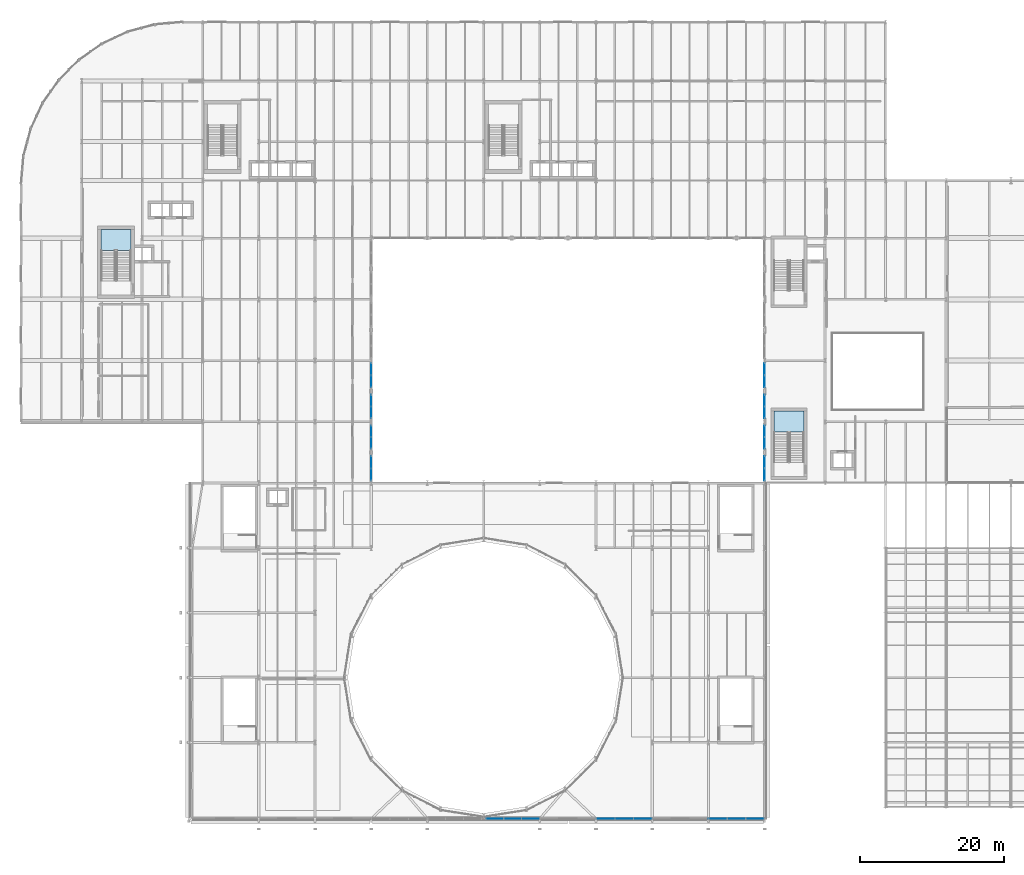
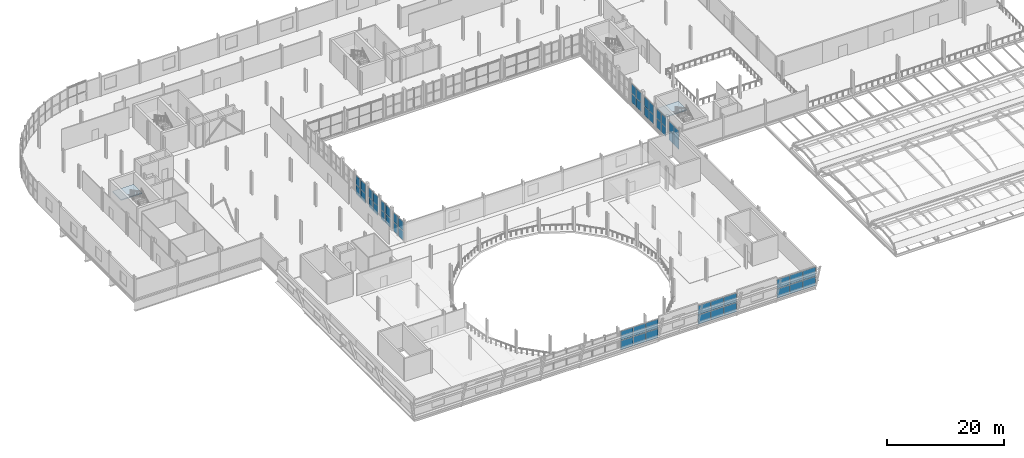
# One storey, part 36 of 63: 50 plates, 2 slabs, 13 elements without a shape of their own.
"""IFC4 building model written with IfcOpenShell, lengths in metres."""

from ifc_helpers import new_model, si_unit, direction, frame, origin, origin_2d, place, context, subcontext, project, spatial, polyline, rectangle, outline, extrude, material, layer, layer_set, type_object, element, aggregate, save


model = new_model("IFC4")

# Units and contexts
model_context = context("Model", 3, precision=1e-05, world=origin(), true_north=direction((0.0, 1.0)))
body_context = subcontext(model_context, "Body", "Model", "MODEL_VIEW")
ifc_project = project(units=[si_unit("LENGTHUNIT", "METRE"), si_unit("AREAUNIT", "SQUARE_METRE"), si_unit("VOLUMEUNIT", "CUBIC_METRE"), si_unit("PLANEANGLEUNIT", "RADIAN"), si_unit("MASSUNIT", "GRAM", prefix="KILO")], contexts=[model_context])

# Site, building, storey
site_placement = place(None, origin())
site = spatial("IfcSite", under=ifc_project, at=site_placement, CompositionType="ELEMENT")
building_placement = place(site_placement, origin())
building = spatial("IfcBuilding", under=site, at=building_placement, Name="Sefraquen Railside Congress Hotel", CompositionType="ELEMENT")
storey_placement = place(building_placement, frame((0.0, 0.0, 11.39990234375)))
storey = spatial("IfcBuildingStorey", under=building, at=storey_placement, Name="L02", CompositionType="ELEMENT", Elevation=11.39990234375)

# Curtain wall, plates
ifc_material_1 = material(Name="Thermally broken anodised aluminium and low-E double glazing", Category="aluminium")
ifc_layer_1 = layer(ifc_material_1, 0.199951171875)
ifc_layer_set_1 = layer_set([ifc_layer_1], Name="Thermally broken anodised aluminium and low-E double glazing")
curtain_wall_type_1 = type_object("IfcCurtainWallType", Name="TCW-UCW-22", PredefinedType="USERDEFINED", material=ifc_layer_set_1)
curtain_wall_1_placement = place(storey_placement, origin())
curtain_wall_1 = element("IfcCurtainWall", 1, at=curtain_wall_1_placement, inside=storey, type_object=curtain_wall_type_1, Name="Congress leaning south curtain wall L02-6", ObjectType="UNITISED CURTAIN WALL", PredefinedType="USERDEFINED")
ifc_material_2 = material(Name="Solar-control low-E double glazing", Category="glass")
ifc_layer_2 = layer(ifc_material_2, 0.02392578125)
ifc_layer_set_2 = layer_set([ifc_layer_2], Name="Solar-control low-E double glazing")
plate_type_1 = type_object("IfcPlateType", Name="TP-CWP-01", PredefinedType="CURTAIN_PANEL", material=ifc_layer_set_2)
plate_1_placement = place(storey_placement, frame((65.751708984375, 7.400390625, 0.0400390625), z_axis=(0.0, 0.0, 1.0), x_axis=(1.0, 0.0, 0.0)))
plate_1 = element("IfcPlate", 2, at=plate_1_placement, type_object=plate_type_1, Name="CW-L02-054 panel 1.1", PredefinedType="CURTAIN_PANEL", context=body_context, shape_type="SweptSolid", body=[
    extrude(rectangle(XDim=2.393310546875, YDim=0.02392578125, at=origin_2d()), origin(), (0.0, 0.0, 1.0), 1.9150390625),
])
plate_2_placement = place(storey_placement, frame((68.235107421875, 7.400390625, 0.0400390625), z_axis=(0.0, 0.0, 1.0), x_axis=(1.0, 0.0, 0.0)))
plate_2 = element("IfcPlate", 3, at=plate_2_placement, type_object=plate_type_1, Name="CW-L02-054 panel 1.2", PredefinedType="CURTAIN_PANEL", context=body_context, shape_type="SweptSolid", body=[
    extrude(rectangle(XDim=2.393310546875, YDim=0.02392578125, at=origin_2d()), origin(), (0.0, 0.0, 1.0), 1.9150390625),
])
plate_3_placement = place(storey_placement, frame((70.71826171875, 7.400390625, 0.0400390625), z_axis=(0.0, 0.0, 1.0), x_axis=(1.0, 0.0, 0.0)))
plate_3 = element("IfcPlate", 4, at=plate_3_placement, type_object=plate_type_1, Name="CW-L02-054 panel 1.3", PredefinedType="CURTAIN_PANEL", context=body_context, shape_type="SweptSolid", body=[
    extrude(rectangle(XDim=2.393310546875, YDim=0.02392578125, at=origin_2d()), origin(), (0.0, 0.0, 1.0), 1.9150390625),
])

ifc_layer_3 = layer(ifc_material_1, 0.199951171875)
ifc_layer_set_3 = layer_set([ifc_layer_3], Name="Thermally broken anodised aluminium and low-E double glazing")
curtain_wall_type_2 = type_object("IfcCurtainWallType", Name="TCW-UCW-23", PredefinedType="USERDEFINED", material=ifc_layer_set_3)
curtain_wall_2_placement = place(storey_placement, origin())
curtain_wall_2 = element("IfcCurtainWall", 5, at=curtain_wall_2_placement, inside=storey, type_object=curtain_wall_type_2, Name="Congress leaning south curtain wall L02-8", ObjectType="UNITISED CURTAIN WALL", PredefinedType="USERDEFINED")
plate_4_placement = place(storey_placement, frame((81.126708984375, 7.400390625, 0.0400390625), z_axis=(0.0, 0.0, 1.0), x_axis=(1.0, 0.0, 0.0)))
plate_4 = element("IfcPlate", 6, at=plate_4_placement, type_object=plate_type_1, Name="CW-L02-055 panel 1.1", PredefinedType="CURTAIN_PANEL", context=body_context, shape_type="SweptSolid", body=[
    extrude(rectangle(XDim=2.4833984375, YDim=0.02392578125, at=origin_2d()), origin(), (0.0, 0.0, 1.0), 1.9150390625),
])
plate_5_placement = place(storey_placement, frame((83.699951171875, 7.400390625, 0.0400390625), z_axis=(0.0, 0.0, 1.0), x_axis=(1.0, 0.0, 0.0)))
plate_5 = element("IfcPlate", 7, at=plate_5_placement, type_object=plate_type_1, Name="CW-L02-055 panel 1.2", PredefinedType="CURTAIN_PANEL", context=body_context, shape_type="SweptSolid", body=[
    extrude(rectangle(XDim=2.4833984375, YDim=0.02392578125, at=origin_2d()), origin(), (0.0, 0.0, 1.0), 1.9150390625),
])
plate_6_placement = place(storey_placement, frame((86.273193359375, 7.400390625, 0.0400390625), z_axis=(0.0, 0.0, 1.0), x_axis=(1.0, 0.0, 0.0)))
plate_6 = element("IfcPlate", 8, at=plate_6_placement, type_object=plate_type_1, Name="CW-L02-055 panel 1.3", PredefinedType="CURTAIN_PANEL", context=body_context, shape_type="SweptSolid", body=[
    extrude(rectangle(XDim=2.4833984375, YDim=0.02392578125, at=origin_2d()), origin(), (0.0, 0.0, 1.0), 1.9150390625),
])

ifc_layer_4 = layer(ifc_material_1, 0.199951171875)
ifc_layer_set_4 = layer_set([ifc_layer_4], Name="Thermally broken anodised aluminium and low-E double glazing")
curtain_wall_type_3 = type_object("IfcCurtainWallType", Name="TCW-UCW-24", PredefinedType="USERDEFINED", material=ifc_layer_set_4)
curtain_wall_3_placement = place(storey_placement, origin())
curtain_wall_3 = element("IfcCurtainWall", 9, at=curtain_wall_3_placement, inside=storey, type_object=curtain_wall_type_3, Name="Congress leaning south curtain wall L02-10", ObjectType="UNITISED CURTAIN WALL", PredefinedType="USERDEFINED")
plate_7_placement = place(storey_placement, frame((96.726806640625, 7.400390625, 0.0400390625), z_axis=(0.0, 0.0, 1.0), x_axis=(1.0, 0.0, 0.0)))
plate_7 = element("IfcPlate", 10, at=plate_7_placement, type_object=plate_type_1, Name="CW-L02-056 panel 1.1", PredefinedType="CURTAIN_PANEL", context=body_context, shape_type="SweptSolid", body=[
    extrude(rectangle(XDim=2.4833984375, YDim=0.02392578125, at=origin_2d()), origin(), (0.0, 0.0, 1.0), 1.9150390625),
])
plate_8_placement = place(storey_placement, frame((99.300048828125, 7.400390625, 0.0400390625), z_axis=(0.0, 0.0, 1.0), x_axis=(1.0, 0.0, 0.0)))
plate_8 = element("IfcPlate", 11, at=plate_8_placement, type_object=plate_type_1, Name="CW-L02-056 panel 1.2", PredefinedType="CURTAIN_PANEL", context=body_context, shape_type="SweptSolid", body=[
    extrude(rectangle(XDim=2.4833984375, YDim=0.02392578125, at=origin_2d()), origin(), (0.0, 0.0, 1.0), 1.9150390625),
])
plate_9_placement = place(storey_placement, frame((101.873291015625, 7.400390625, 0.0400390625), z_axis=(0.0, 0.0, 1.0), x_axis=(1.0, 0.0, 0.0)))
plate_9 = element("IfcPlate", 12, at=plate_9_placement, type_object=plate_type_1, Name="CW-L02-056 panel 1.3", PredefinedType="CURTAIN_PANEL", context=body_context, shape_type="SweptSolid", body=[
    extrude(rectangle(XDim=2.4833984375, YDim=0.02392578125, at=origin_2d()), origin(), (0.0, 0.0, 1.0), 1.9150390625),
])

ifc_layer_5 = layer(ifc_material_1, 0.199951171875)
ifc_layer_set_5 = layer_set([ifc_layer_5], Name="Thermally broken anodised aluminium and low-E double glazing")
curtain_wall_type_4 = type_object("IfcCurtainWallType", Name="TCW-UCW-28", PredefinedType="USERDEFINED", material=ifc_layer_set_5)
curtain_wall_4_placement = place(storey_placement, origin())
curtain_wall_4 = element("IfcCurtainWall", 13, at=curtain_wall_4_placement, inside=storey, type_object=curtain_wall_type_4, Name="Courtyard west gallery curtain wall L02", ObjectType="UNITISED CURTAIN WALL", PredefinedType="USERDEFINED")
plate_10_placement = place(storey_placement, frame((48.60009765625, 55.175048828125, 0.0400390625), z_axis=(0.0, 0.0, 1.0), x_axis=(0.0, 1.0, 0.0)))
plate_10 = element("IfcPlate", 14, at=plate_10_placement, type_object=plate_type_1, Name="CW-L02-060 panel 1.1", PredefinedType="CURTAIN_PANEL", context=body_context, shape_type="SweptSolid", body=[
    extrude(rectangle(XDim=1.639892578125, YDim=0.02392578125, at=origin_2d()), origin(), (0.0, 0.0, 1.0), 1.9150390625),
])
plate_11_placement = place(storey_placement, frame((48.60009765625, 56.905029296875, 0.0400390625), z_axis=(0.0, 0.0, 1.0), x_axis=(0.0, 1.0, 0.0)))
plate_11 = element("IfcPlate", 15, at=plate_11_placement, type_object=plate_type_1, Name="CW-L02-060 panel 1.2", PredefinedType="CURTAIN_PANEL", context=body_context, shape_type="SweptSolid", body=[
    extrude(rectangle(XDim=1.639892578125, YDim=0.02392578125, at=origin_2d()), origin(), (0.0, 0.0, 1.0), 1.9150390625),
])

curtain_wall_5_placement = place(storey_placement, origin())
curtain_wall_5 = element("IfcCurtainWall", 16, at=curtain_wall_5_placement, inside=storey, type_object=curtain_wall_type_4, Name="Courtyard west gallery curtain wall L02 bay 2", ObjectType="UNITISED CURTAIN WALL", PredefinedType="USERDEFINED")
plate_12_placement = place(storey_placement, frame((48.60009765625, 59.552490234375, 0.0400390625), z_axis=(0.0, 0.0, 1.0), x_axis=(0.0, 1.0, 0.0)))
plate_12 = element("IfcPlate", 17, at=plate_12_placement, type_object=plate_type_1, Name="CW-L02-060-S2 panel 1.1", PredefinedType="CURTAIN_PANEL", context=body_context, shape_type="SweptSolid", body=[
    extrude(rectangle(XDim=1.554931640625, YDim=0.02392578125, at=origin_2d()), origin(), (0.0, 0.0, 1.0), 1.9150390625),
])
plate_13_placement = place(storey_placement, frame((48.60009765625, 61.197509765625, 0.0400390625), z_axis=(0.0, 0.0, 1.0), x_axis=(0.0, 1.0, 0.0)))
plate_13 = element("IfcPlate", 18, at=plate_13_placement, type_object=plate_type_1, Name="CW-L02-060-S2 panel 1.2", PredefinedType="CURTAIN_PANEL", context=body_context, shape_type="SweptSolid", body=[
    extrude(rectangle(XDim=1.554931640625, YDim=0.02392578125, at=origin_2d()), origin(), (0.0, 0.0, 1.0), 1.9150390625),
])

curtain_wall_6_placement = place(storey_placement, origin())
curtain_wall_6 = element("IfcCurtainWall", 19, at=curtain_wall_6_placement, inside=storey, type_object=curtain_wall_type_4, Name="Courtyard west gallery curtain wall L02 bay 3", ObjectType="UNITISED CURTAIN WALL", PredefinedType="USERDEFINED")
plate_14_placement = place(storey_placement, frame((48.60009765625, 63.802490234375, 0.0400390625), z_axis=(0.0, 0.0, 1.0), x_axis=(0.0, 1.0, 0.0)))
plate_14 = element("IfcPlate", 20, at=plate_14_placement, type_object=plate_type_1, Name="CW-L02-060-S3 panel 1.1", PredefinedType="CURTAIN_PANEL", context=body_context, shape_type="SweptSolid", body=[
    extrude(rectangle(XDim=1.554931640625, YDim=0.02392578125, at=origin_2d()), origin(), (0.0, 0.0, 1.0), 1.9150390625),
])
plate_15_placement = place(storey_placement, frame((48.60009765625, 65.447509765625, 0.0400390625), z_axis=(0.0, 0.0, 1.0), x_axis=(0.0, 1.0, 0.0)))
plate_15 = element("IfcPlate", 21, at=plate_15_placement, type_object=plate_type_1, Name="CW-L02-060-S3 panel 1.2", PredefinedType="CURTAIN_PANEL", context=body_context, shape_type="SweptSolid", body=[
    extrude(rectangle(XDim=1.554931640625, YDim=0.02392578125, at=origin_2d()), origin(), (0.0, 0.0, 1.0), 1.9150390625),
])

curtain_wall_7_placement = place(storey_placement, origin())
curtain_wall_7 = element("IfcCurtainWall", 22, at=curtain_wall_7_placement, inside=storey, type_object=curtain_wall_type_4, Name="Courtyard west gallery curtain wall L02 bay 4", ObjectType="UNITISED CURTAIN WALL", PredefinedType="USERDEFINED")
plate_16_placement = place(storey_placement, frame((48.60009765625, 68.094970703125, 0.0400390625), z_axis=(0.0, 0.0, 1.0), x_axis=(0.0, 1.0, 0.0)))
plate_16 = element("IfcPlate", 23, at=plate_16_placement, type_object=plate_type_1, Name="CW-L02-060-S4 panel 1.1", PredefinedType="CURTAIN_PANEL", context=body_context, shape_type="SweptSolid", body=[
    extrude(rectangle(XDim=1.639892578125, YDim=0.02392578125, at=origin_2d()), origin(), (0.0, 0.0, 1.0), 1.9150390625),
])
plate_17_placement = place(storey_placement, frame((48.60009765625, 69.824951171875, 0.0400390625), z_axis=(0.0, 0.0, 1.0), x_axis=(0.0, 1.0, 0.0)))
plate_17 = element("IfcPlate", 24, at=plate_17_placement, type_object=plate_type_1, Name="CW-L02-060-S4 panel 1.2", PredefinedType="CURTAIN_PANEL", context=body_context, shape_type="SweptSolid", body=[
    extrude(rectangle(XDim=1.639892578125, YDim=0.02392578125, at=origin_2d()), origin(), (0.0, 0.0, 1.0), 1.9150390625),
])

ifc_layer_6 = layer(ifc_material_1, 0.199951171875)
ifc_layer_set_6 = layer_set([ifc_layer_6], Name="Thermally broken anodised aluminium and low-E double glazing")
curtain_wall_type_5 = type_object("IfcCurtainWallType", Name="TCW-UCW-29", PredefinedType="USERDEFINED", material=ifc_layer_set_6)
curtain_wall_8_placement = place(storey_placement, origin())
curtain_wall_8 = element("IfcCurtainWall", 25, at=curtain_wall_8_placement, inside=storey, type_object=curtain_wall_type_5, Name="Courtyard east gallery curtain wall L02", ObjectType="UNITISED CURTAIN WALL", PredefinedType="USERDEFINED")
plate_18_placement = place(storey_placement, frame((103.199951171875, 55.175048828125, 0.0400390625), z_axis=(0.0, 0.0, 1.0), x_axis=(0.0, 1.0, 0.0)))
plate_18 = element("IfcPlate", 26, at=plate_18_placement, type_object=plate_type_1, Name="CW-L02-061 panel 1.1", PredefinedType="CURTAIN_PANEL", context=body_context, shape_type="SweptSolid", body=[
    extrude(rectangle(XDim=1.639892578125, YDim=0.02392578125, at=origin_2d()), origin(), (0.0, 0.0, 1.0), 1.9150390625),
])
plate_19_placement = place(storey_placement, frame((103.199951171875, 56.905029296875, 0.0400390625), z_axis=(0.0, 0.0, 1.0), x_axis=(0.0, 1.0, 0.0)))
plate_19 = element("IfcPlate", 27, at=plate_19_placement, type_object=plate_type_1, Name="CW-L02-061 panel 1.2", PredefinedType="CURTAIN_PANEL", context=body_context, shape_type="SweptSolid", body=[
    extrude(rectangle(XDim=1.639892578125, YDim=0.02392578125, at=origin_2d()), origin(), (0.0, 0.0, 1.0), 1.9150390625),
])

curtain_wall_9_placement = place(storey_placement, origin())
curtain_wall_9 = element("IfcCurtainWall", 28, at=curtain_wall_9_placement, inside=storey, type_object=curtain_wall_type_5, Name="Courtyard east gallery curtain wall L02 bay 2", ObjectType="UNITISED CURTAIN WALL", PredefinedType="USERDEFINED")
plate_20_placement = place(storey_placement, frame((103.199951171875, 59.552490234375, 0.0400390625), z_axis=(0.0, 0.0, 1.0), x_axis=(0.0, 1.0, 0.0)))
plate_20 = element("IfcPlate", 29, at=plate_20_placement, type_object=plate_type_1, Name="CW-L02-061-S2 panel 1.1", PredefinedType="CURTAIN_PANEL", context=body_context, shape_type="SweptSolid", body=[
    extrude(rectangle(XDim=1.554931640625, YDim=0.02392578125, at=origin_2d()), origin(), (0.0, 0.0, 1.0), 1.9150390625),
])
plate_21_placement = place(storey_placement, frame((103.199951171875, 61.197509765625, 0.0400390625), z_axis=(0.0, 0.0, 1.0), x_axis=(0.0, 1.0, 0.0)))
plate_21 = element("IfcPlate", 30, at=plate_21_placement, type_object=plate_type_1, Name="CW-L02-061-S2 panel 1.2", PredefinedType="CURTAIN_PANEL", context=body_context, shape_type="SweptSolid", body=[
    extrude(rectangle(XDim=1.554931640625, YDim=0.02392578125, at=origin_2d()), origin(), (0.0, 0.0, 1.0), 1.9150390625),
])

curtain_wall_10_placement = place(storey_placement, origin())
curtain_wall_10 = element("IfcCurtainWall", 31, at=curtain_wall_10_placement, inside=storey, type_object=curtain_wall_type_5, Name="Courtyard east gallery curtain wall L02 bay 3", ObjectType="UNITISED CURTAIN WALL", PredefinedType="USERDEFINED")
plate_22_placement = place(storey_placement, frame((103.199951171875, 63.802490234375, 0.0400390625), z_axis=(0.0, 0.0, 1.0), x_axis=(0.0, 1.0, 0.0)))
plate_22 = element("IfcPlate", 32, at=plate_22_placement, type_object=plate_type_1, Name="CW-L02-061-S3 panel 1.1", PredefinedType="CURTAIN_PANEL", context=body_context, shape_type="SweptSolid", body=[
    extrude(rectangle(XDim=1.554931640625, YDim=0.02392578125, at=origin_2d()), origin(), (0.0, 0.0, 1.0), 1.9150390625),
])
plate_23_placement = place(storey_placement, frame((103.199951171875, 65.447509765625, 0.0400390625), z_axis=(0.0, 0.0, 1.0), x_axis=(0.0, 1.0, 0.0)))
plate_23 = element("IfcPlate", 33, at=plate_23_placement, type_object=plate_type_1, Name="CW-L02-061-S3 panel 1.2", PredefinedType="CURTAIN_PANEL", context=body_context, shape_type="SweptSolid", body=[
    extrude(rectangle(XDim=1.554931640625, YDim=0.02392578125, at=origin_2d()), origin(), (0.0, 0.0, 1.0), 1.9150390625),
])

curtain_wall_11_placement = place(storey_placement, origin())
curtain_wall_11 = element("IfcCurtainWall", 34, at=curtain_wall_11_placement, inside=storey, type_object=curtain_wall_type_5, Name="Courtyard east gallery curtain wall L02 bay 4", ObjectType="UNITISED CURTAIN WALL", PredefinedType="USERDEFINED")
plate_24_placement = place(storey_placement, frame((103.199951171875, 68.094970703125, 0.0400390625), z_axis=(0.0, 0.0, 1.0), x_axis=(0.0, 1.0, 0.0)))
plate_24 = element("IfcPlate", 35, at=plate_24_placement, type_object=plate_type_1, Name="CW-L02-061-S4 panel 1.1", PredefinedType="CURTAIN_PANEL", context=body_context, shape_type="SweptSolid", body=[
    extrude(rectangle(XDim=1.639892578125, YDim=0.02392578125, at=origin_2d()), origin(), (0.0, 0.0, 1.0), 1.9150390625),
])
plate_25_placement = place(storey_placement, frame((103.199951171875, 69.824951171875, 0.0400390625), z_axis=(0.0, 0.0, 1.0), x_axis=(0.0, 1.0, 0.0)))
plate_25 = element("IfcPlate", 36, at=plate_25_placement, type_object=plate_type_1, Name="CW-L02-061-S4 panel 1.2", PredefinedType="CURTAIN_PANEL", context=body_context, shape_type="SweptSolid", body=[
    extrude(rectangle(XDim=1.639892578125, YDim=0.02392578125, at=origin_2d()), origin(), (0.0, 0.0, 1.0), 1.9150390625),
])

# Plate
ifc_material_3 = material(Name="Triple acoustic solar-control glazing", Category="glass")
ifc_layer_7 = layer(ifc_material_3, 0.031982421875)
ifc_layer_set_7 = layer_set([ifc_layer_7], Name="Triple acoustic solar-control glazing")
plate_type_2 = type_object("IfcPlateType", Name="TP-CWP-02", PredefinedType="CURTAIN_PANEL", material=ifc_layer_set_7)
plate_26_placement = place(storey_placement, frame((65.751708984375, 7.400390625, 2.03515625), z_axis=(0.0, 0.0, 1.0), x_axis=(1.0, 0.0, 0.0)))
plate_26 = element("IfcPlate", 37, at=plate_26_placement, type_object=plate_type_2, Name="CW-L02-054 panel 2.1", PredefinedType="CURTAIN_PANEL", context=body_context, shape_type="SweptSolid", body=[
    extrude(rectangle(XDim=2.393310546875, YDim=0.031982421875, at=origin_2d()), origin(), (0.0, 0.0, 1.0), 1.9150390625),
])

plate_27_placement = place(storey_placement, frame((68.235107421875, 7.400390625, 2.03515625), z_axis=(0.0, 0.0, 1.0), x_axis=(1.0, 0.0, 0.0)))
plate_27 = element("IfcPlate", 38, at=plate_27_placement, type_object=plate_type_2, Name="CW-L02-054 panel 2.2", PredefinedType="CURTAIN_PANEL", context=body_context, shape_type="SweptSolid", body=[
    extrude(rectangle(XDim=2.393310546875, YDim=0.031982421875, at=origin_2d()), origin(), (0.0, 0.0, 1.0), 1.9150390625),
])

plate_28_placement = place(storey_placement, frame((70.71826171875, 7.400390625, 2.03515625), z_axis=(0.0, 0.0, 1.0), x_axis=(1.0, 0.0, 0.0)))
plate_28 = element("IfcPlate", 39, at=plate_28_placement, type_object=plate_type_2, Name="CW-L02-054 panel 2.3", PredefinedType="CURTAIN_PANEL", context=body_context, shape_type="SweptSolid", body=[
    extrude(rectangle(XDim=2.393310546875, YDim=0.031982421875, at=origin_2d()), origin(), (0.0, 0.0, 1.0), 1.9150390625),
])

aggregate(curtain_wall_1, [plate_1, plate_2, plate_3, plate_26, plate_27, plate_28])

plate_29_placement = place(storey_placement, frame((81.126708984375, 7.400390625, 2.03515625), z_axis=(0.0, 0.0, 1.0), x_axis=(1.0, 0.0, 0.0)))
plate_29 = element("IfcPlate", 40, at=plate_29_placement, type_object=plate_type_2, Name="CW-L02-055 panel 2.1", PredefinedType="CURTAIN_PANEL", context=body_context, shape_type="SweptSolid", body=[
    extrude(rectangle(XDim=2.4833984375, YDim=0.031982421875, at=origin_2d()), origin(), (0.0, 0.0, 1.0), 1.9150390625),
])

plate_30_placement = place(storey_placement, frame((83.699951171875, 7.400390625, 2.03515625), z_axis=(0.0, 0.0, 1.0), x_axis=(1.0, 0.0, 0.0)))
plate_30 = element("IfcPlate", 41, at=plate_30_placement, type_object=plate_type_2, Name="CW-L02-055 panel 2.2", PredefinedType="CURTAIN_PANEL", context=body_context, shape_type="SweptSolid", body=[
    extrude(rectangle(XDim=2.4833984375, YDim=0.031982421875, at=origin_2d()), origin(), (0.0, 0.0, 1.0), 1.9150390625),
])

plate_31_placement = place(storey_placement, frame((86.273193359375, 7.400390625, 2.03515625), z_axis=(0.0, 0.0, 1.0), x_axis=(1.0, 0.0, 0.0)))
plate_31 = element("IfcPlate", 42, at=plate_31_placement, type_object=plate_type_2, Name="CW-L02-055 panel 2.3", PredefinedType="CURTAIN_PANEL", context=body_context, shape_type="SweptSolid", body=[
    extrude(rectangle(XDim=2.4833984375, YDim=0.031982421875, at=origin_2d()), origin(), (0.0, 0.0, 1.0), 1.9150390625),
])

aggregate(curtain_wall_2, [plate_4, plate_5, plate_6, plate_29, plate_30, plate_31])

plate_32_placement = place(storey_placement, frame((96.726806640625, 7.400390625, 2.03515625), z_axis=(0.0, 0.0, 1.0), x_axis=(1.0, 0.0, 0.0)))
plate_32 = element("IfcPlate", 43, at=plate_32_placement, type_object=plate_type_2, Name="CW-L02-056 panel 2.1", PredefinedType="CURTAIN_PANEL", context=body_context, shape_type="SweptSolid", body=[
    extrude(rectangle(XDim=2.4833984375, YDim=0.031982421875, at=origin_2d()), origin(), (0.0, 0.0, 1.0), 1.9150390625),
])

plate_33_placement = place(storey_placement, frame((99.300048828125, 7.400390625, 2.03515625), z_axis=(0.0, 0.0, 1.0), x_axis=(1.0, 0.0, 0.0)))
plate_33 = element("IfcPlate", 44, at=plate_33_placement, type_object=plate_type_2, Name="CW-L02-056 panel 2.2", PredefinedType="CURTAIN_PANEL", context=body_context, shape_type="SweptSolid", body=[
    extrude(rectangle(XDim=2.4833984375, YDim=0.031982421875, at=origin_2d()), origin(), (0.0, 0.0, 1.0), 1.9150390625),
])

plate_34_placement = place(storey_placement, frame((101.873291015625, 7.400390625, 2.03515625), z_axis=(0.0, 0.0, 1.0), x_axis=(1.0, 0.0, 0.0)))
plate_34 = element("IfcPlate", 45, at=plate_34_placement, type_object=plate_type_2, Name="CW-L02-056 panel 2.3", PredefinedType="CURTAIN_PANEL", context=body_context, shape_type="SweptSolid", body=[
    extrude(rectangle(XDim=2.4833984375, YDim=0.031982421875, at=origin_2d()), origin(), (0.0, 0.0, 1.0), 1.9150390625),
])

aggregate(curtain_wall_3, [plate_7, plate_8, plate_9, plate_32, plate_33, plate_34])

plate_35_placement = place(storey_placement, frame((48.60009765625, 55.175048828125, 2.03515625), z_axis=(0.0, 0.0, 1.0), x_axis=(0.0, 1.0, 0.0)))
plate_35 = element("IfcPlate", 46, at=plate_35_placement, type_object=plate_type_2, Name="CW-L02-060 panel 2.1", PredefinedType="CURTAIN_PANEL", context=body_context, shape_type="SweptSolid", body=[
    extrude(rectangle(XDim=1.639892578125, YDim=0.031982421875, at=origin_2d()), origin(), (0.0, 0.0, 1.0), 1.9150390625),
])

plate_36_placement = place(storey_placement, frame((48.60009765625, 56.905029296875, 2.03515625), z_axis=(0.0, 0.0, 1.0), x_axis=(0.0, 1.0, 0.0)))
plate_36 = element("IfcPlate", 47, at=plate_36_placement, type_object=plate_type_2, Name="CW-L02-060 panel 2.2", PredefinedType="CURTAIN_PANEL", context=body_context, shape_type="SweptSolid", body=[
    extrude(rectangle(XDim=1.639892578125, YDim=0.031982421875, at=origin_2d()), origin(), (0.0, 0.0, 1.0), 1.9150390625),
])

aggregate(curtain_wall_4, [plate_10, plate_11, plate_35, plate_36])

plate_37_placement = place(storey_placement, frame((48.60009765625, 59.552490234375, 2.03515625), z_axis=(0.0, 0.0, 1.0), x_axis=(0.0, 1.0, 0.0)))
plate_37 = element("IfcPlate", 48, at=plate_37_placement, type_object=plate_type_2, Name="CW-L02-060-S2 panel 2.1", PredefinedType="CURTAIN_PANEL", context=body_context, shape_type="SweptSolid", body=[
    extrude(rectangle(XDim=1.554931640625, YDim=0.031982421875, at=origin_2d()), origin(), (0.0, 0.0, 1.0), 1.9150390625),
])

plate_38_placement = place(storey_placement, frame((48.60009765625, 61.197509765625, 2.03515625), z_axis=(0.0, 0.0, 1.0), x_axis=(0.0, 1.0, 0.0)))
plate_38 = element("IfcPlate", 49, at=plate_38_placement, type_object=plate_type_2, Name="CW-L02-060-S2 panel 2.2", PredefinedType="CURTAIN_PANEL", context=body_context, shape_type="SweptSolid", body=[
    extrude(rectangle(XDim=1.554931640625, YDim=0.031982421875, at=origin_2d()), origin(), (0.0, 0.0, 1.0), 1.9150390625),
])

aggregate(curtain_wall_5, [plate_12, plate_13, plate_37, plate_38])

plate_39_placement = place(storey_placement, frame((48.60009765625, 63.802490234375, 2.03515625), z_axis=(0.0, 0.0, 1.0), x_axis=(0.0, 1.0, 0.0)))
plate_39 = element("IfcPlate", 50, at=plate_39_placement, type_object=plate_type_2, Name="CW-L02-060-S3 panel 2.1", PredefinedType="CURTAIN_PANEL", context=body_context, shape_type="SweptSolid", body=[
    extrude(rectangle(XDim=1.554931640625, YDim=0.031982421875, at=origin_2d()), origin(), (0.0, 0.0, 1.0), 1.9150390625),
])

plate_40_placement = place(storey_placement, frame((48.60009765625, 65.447509765625, 2.03515625), z_axis=(0.0, 0.0, 1.0), x_axis=(0.0, 1.0, 0.0)))
plate_40 = element("IfcPlate", 51, at=plate_40_placement, type_object=plate_type_2, Name="CW-L02-060-S3 panel 2.2", PredefinedType="CURTAIN_PANEL", context=body_context, shape_type="SweptSolid", body=[
    extrude(rectangle(XDim=1.554931640625, YDim=0.031982421875, at=origin_2d()), origin(), (0.0, 0.0, 1.0), 1.9150390625),
])

aggregate(curtain_wall_6, [plate_14, plate_15, plate_39, plate_40])

plate_41_placement = place(storey_placement, frame((48.60009765625, 68.094970703125, 2.03515625), z_axis=(0.0, 0.0, 1.0), x_axis=(0.0, 1.0, 0.0)))
plate_41 = element("IfcPlate", 52, at=plate_41_placement, type_object=plate_type_2, Name="CW-L02-060-S4 panel 2.1", PredefinedType="CURTAIN_PANEL", context=body_context, shape_type="SweptSolid", body=[
    extrude(rectangle(XDim=1.639892578125, YDim=0.031982421875, at=origin_2d()), origin(), (0.0, 0.0, 1.0), 1.9150390625),
])

plate_42_placement = place(storey_placement, frame((48.60009765625, 69.824951171875, 2.03515625), z_axis=(0.0, 0.0, 1.0), x_axis=(0.0, 1.0, 0.0)))
plate_42 = element("IfcPlate", 53, at=plate_42_placement, type_object=plate_type_2, Name="CW-L02-060-S4 panel 2.2", PredefinedType="CURTAIN_PANEL", context=body_context, shape_type="SweptSolid", body=[
    extrude(rectangle(XDim=1.639892578125, YDim=0.031982421875, at=origin_2d()), origin(), (0.0, 0.0, 1.0), 1.9150390625),
])

aggregate(curtain_wall_7, [plate_16, plate_17, plate_41, plate_42])

plate_43_placement = place(storey_placement, frame((103.199951171875, 55.175048828125, 2.03515625), z_axis=(0.0, 0.0, 1.0), x_axis=(0.0, 1.0, 0.0)))
plate_43 = element("IfcPlate", 54, at=plate_43_placement, type_object=plate_type_2, Name="CW-L02-061 panel 2.1", PredefinedType="CURTAIN_PANEL", context=body_context, shape_type="SweptSolid", body=[
    extrude(rectangle(XDim=1.639892578125, YDim=0.031982421875, at=origin_2d()), origin(), (0.0, 0.0, 1.0), 1.9150390625),
])

plate_44_placement = place(storey_placement, frame((103.199951171875, 56.905029296875, 2.03515625), z_axis=(0.0, 0.0, 1.0), x_axis=(0.0, 1.0, 0.0)))
plate_44 = element("IfcPlate", 55, at=plate_44_placement, type_object=plate_type_2, Name="CW-L02-061 panel 2.2", PredefinedType="CURTAIN_PANEL", context=body_context, shape_type="SweptSolid", body=[
    extrude(rectangle(XDim=1.639892578125, YDim=0.031982421875, at=origin_2d()), origin(), (0.0, 0.0, 1.0), 1.9150390625),
])

aggregate(curtain_wall_8, [plate_18, plate_19, plate_43, plate_44])

plate_45_placement = place(storey_placement, frame((103.199951171875, 59.552490234375, 2.03515625), z_axis=(0.0, 0.0, 1.0), x_axis=(0.0, 1.0, 0.0)))
plate_45 = element("IfcPlate", 56, at=plate_45_placement, type_object=plate_type_2, Name="CW-L02-061-S2 panel 2.1", PredefinedType="CURTAIN_PANEL", context=body_context, shape_type="SweptSolid", body=[
    extrude(rectangle(XDim=1.554931640625, YDim=0.031982421875, at=origin_2d()), origin(), (0.0, 0.0, 1.0), 1.9150390625),
])

plate_46_placement = place(storey_placement, frame((103.199951171875, 61.197509765625, 2.03515625), z_axis=(0.0, 0.0, 1.0), x_axis=(0.0, 1.0, 0.0)))
plate_46 = element("IfcPlate", 57, at=plate_46_placement, type_object=plate_type_2, Name="CW-L02-061-S2 panel 2.2", PredefinedType="CURTAIN_PANEL", context=body_context, shape_type="SweptSolid", body=[
    extrude(rectangle(XDim=1.554931640625, YDim=0.031982421875, at=origin_2d()), origin(), (0.0, 0.0, 1.0), 1.9150390625),
])

aggregate(curtain_wall_9, [plate_20, plate_21, plate_45, plate_46])

plate_47_placement = place(storey_placement, frame((103.199951171875, 63.802490234375, 2.03515625), z_axis=(0.0, 0.0, 1.0), x_axis=(0.0, 1.0, 0.0)))
plate_47 = element("IfcPlate", 58, at=plate_47_placement, type_object=plate_type_2, Name="CW-L02-061-S3 panel 2.1", PredefinedType="CURTAIN_PANEL", context=body_context, shape_type="SweptSolid", body=[
    extrude(rectangle(XDim=1.554931640625, YDim=0.031982421875, at=origin_2d()), origin(), (0.0, 0.0, 1.0), 1.9150390625),
])

plate_48_placement = place(storey_placement, frame((103.199951171875, 65.447509765625, 2.03515625), z_axis=(0.0, 0.0, 1.0), x_axis=(0.0, 1.0, 0.0)))
plate_48 = element("IfcPlate", 59, at=plate_48_placement, type_object=plate_type_2, Name="CW-L02-061-S3 panel 2.2", PredefinedType="CURTAIN_PANEL", context=body_context, shape_type="SweptSolid", body=[
    extrude(rectangle(XDim=1.554931640625, YDim=0.031982421875, at=origin_2d()), origin(), (0.0, 0.0, 1.0), 1.9150390625),
])

aggregate(curtain_wall_10, [plate_22, plate_23, plate_47, plate_48])

plate_49_placement = place(storey_placement, frame((103.199951171875, 68.094970703125, 2.03515625), z_axis=(0.0, 0.0, 1.0), x_axis=(0.0, 1.0, 0.0)))
plate_49 = element("IfcPlate", 60, at=plate_49_placement, type_object=plate_type_2, Name="CW-L02-061-S4 panel 2.1", PredefinedType="CURTAIN_PANEL", context=body_context, shape_type="SweptSolid", body=[
    extrude(rectangle(XDim=1.639892578125, YDim=0.031982421875, at=origin_2d()), origin(), (0.0, 0.0, 1.0), 1.9150390625),
])

plate_50_placement = place(storey_placement, frame((103.199951171875, 69.824951171875, 2.03515625), z_axis=(0.0, 0.0, 1.0), x_axis=(0.0, 1.0, 0.0)))
plate_50 = element("IfcPlate", 61, at=plate_50_placement, type_object=plate_type_2, Name="CW-L02-061-S4 panel 2.2", PredefinedType="CURTAIN_PANEL", context=body_context, shape_type="SweptSolid", body=[
    extrude(rectangle(XDim=1.639892578125, YDim=0.031982421875, at=origin_2d()), origin(), (0.0, 0.0, 1.0), 1.9150390625),
])

aggregate(curtain_wall_11, [plate_24, plate_25, plate_49, plate_50])

# Stair, slab
ifc_material_4 = material(Name="Concrete C40/50", Category="concrete")
stair_type_1 = type_object("IfcStairType", Name="TST-DOG-198-360", PredefinedType="HALF_TURN_STAIR", material=ifc_material_4)
stair_1_placement = place(storey_placement, origin())
stair_1 = element("IfcStair", 62, at=stair_1_placement, inside=storey, type_object=stair_type_1, Name="L02 Pressurized escape stair ST-H01", PredefinedType="HALF_TURN_STAIR")
ifc_layer_8 = layer(ifc_material_4, 0.199951171875)
ifc_layer_set_8 = layer_set([ifc_layer_8], Name="Concrete C40/50")
slab_type = type_object("IfcSlabType", Name="TS-LD-200", PredefinedType="LANDING", material=ifc_layer_set_8)
slab_1_placement = place(storey_placement, frame((0.0, 0.0, 2.2001953125)))
slab_1 = element("IfcSlab", 63, at=slab_1_placement, type_object=slab_type, Name="ST-H01 landing 1", PredefinedType="LANDING", context=body_context, shape_type="SweptSolid", body=[
    extrude(outline(polyline([(15.260009765625, 86.26611328125), (15.260009765625, 89.2119140625), (11.10009765625, 89.2119140625), (11.10009765625, 86.26611328125), (15.260009765625, 86.26611328125)])), origin(), (0.0, 0.0, 1.0), 0.199951171875),
])
aggregate(stair_1, [slab_1])

stair_type_2 = type_object("IfcStairType", Name="TST-DOG-198-540", PredefinedType="HALF_TURN_STAIR", material=ifc_material_4)
stair_2_placement = place(storey_placement, origin())
stair_2 = element("IfcStair", 64, at=stair_2_placement, inside=storey, type_object=stair_type_2, Name="L02 Pressurized escape stair ST-M02", PredefinedType="HALF_TURN_STAIR")
slab_2_placement = place(storey_placement, frame((0.0, 0.0, 2.2001953125)))
slab_2 = element("IfcSlab", 65, at=slab_2_placement, type_object=slab_type, Name="ST-M02 landing 1", PredefinedType="LANDING", context=body_context, shape_type="SweptSolid", body=[
    extrude(outline(polyline([(108.659912109375, 61.06591796875), (108.659912109375, 64.011962890625), (104.5, 64.011962890625), (104.5, 61.06591796875), (108.659912109375, 61.06591796875)])), origin(), (0.0, 0.0, 1.0), 0.199951171875),
])
aggregate(stair_2, [slab_2])

save(model, "model.ifc")
